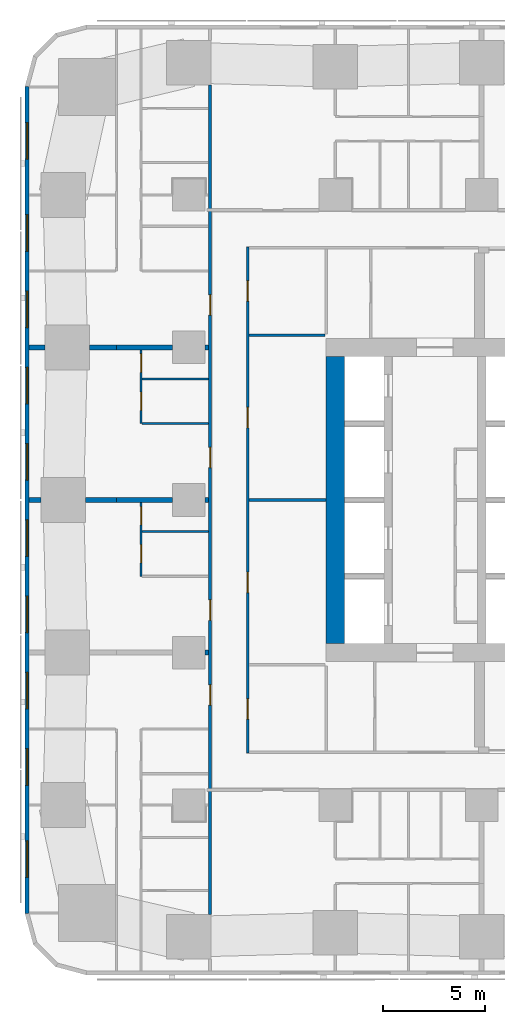
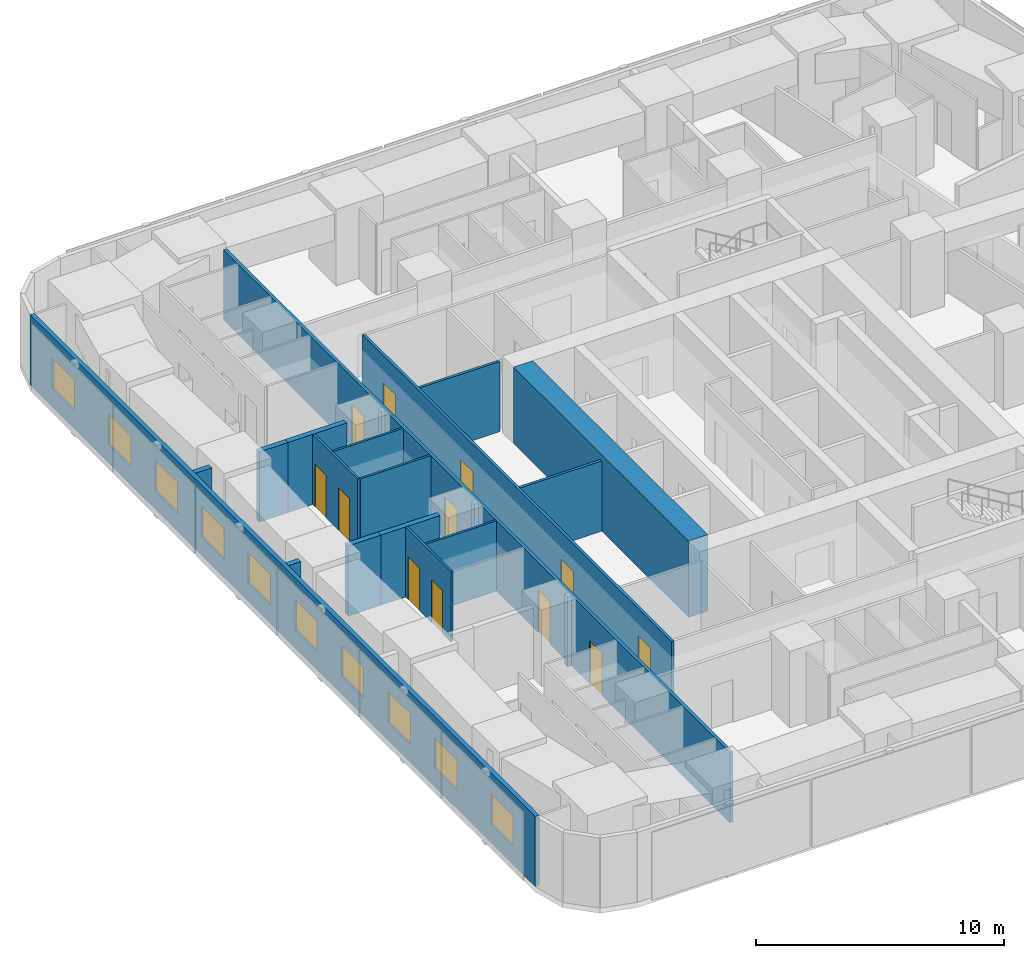
# One storey, part 4 of 14: 20 walls, 12 doors, 10 windows, 22 openings.
"""IFC4 building model written with IfcOpenShell, lengths in metres."""

from ifc_helpers import new_model, si_unit, direction, frame, frame_2d, origin, place, context, subcontext, project, spatial, rectangle, extrude, material, layer, layer_set, type_object, element, fill, save


model = new_model("IFC4")

# Units and contexts
model_context = context("Model", 3, precision=1e-05, world=origin(), true_north=direction((0.0, 1.0)))
body_context = subcontext(model_context, "Body", "Model", "MODEL_VIEW")
ifc_project = project(units=[si_unit("LENGTHUNIT", "METRE"), si_unit("AREAUNIT", "SQUARE_METRE"), si_unit("VOLUMEUNIT", "CUBIC_METRE"), si_unit("PLANEANGLEUNIT", "RADIAN"), si_unit("MASSUNIT", "GRAM", prefix="KILO")], contexts=[model_context])

# Site, building, storey
site_placement = place(None, origin())
site = spatial("IfcSite", under=ifc_project, at=site_placement, CompositionType="ELEMENT")
building_placement = place(site_placement, origin())
building = spatial("IfcBuilding", under=site, at=building_placement, Name="Sheger Commons Tower", CompositionType="ELEMENT")
storey_placement = place(building_placement, frame((0.0, 0.0, 126.64990234375)))
storey = spatial("IfcBuildingStorey", under=building, at=storey_placement, Name="L32", CompositionType="ELEMENT", Elevation=126.64990234375)

# Wall
ifc_material_1 = material(Name="Concrete C50/60", Category="concrete")
ifc_layer_1 = layer(ifc_material_1, 0.89990234375)
ifc_layer_set_1 = layer_set([ifc_layer_1], Name="CORE WALL 900")
wall_type_1 = type_object("IfcWallType", Name="CORE WALL 900", PredefinedType="SHEAR", material=ifc_layer_set_1)
wall_1_placement = place(storey_placement, frame((14.39990234375, 15.449951171875, 0.0), z_axis=(0.0, 0.0, 1.0), x_axis=(0.0, 1.0, 0.0)))
element("IfcWall", 1, at=wall_1_placement, inside=storey, type_object=wall_type_1, Name="Core wall west L32", PredefinedType="SHEAR", context=body_context, shape_type="SweptSolid", body=[
    extrude(rectangle(XDim=14.10009765625, YDim=0.89990234375, at=frame_2d((7.050048828125, 0.0))), origin(), (0.0, 0.0, 1.0), 3.75),
])

# Wall, openings, doors
ifc_material_2 = material(Name="Hollow concrete block masonry, skimmed both sides", Category="masonry")
ifc_layer_2 = layer(ifc_material_2, 0.14990234375)
ifc_layer_set_2 = layer_set([ifc_layer_2], Name="CORRIDOR WALL 150")
wall_type_2 = type_object("IfcWallType", Name="CORRIDOR WALL 150", PredefinedType="SOLIDWALL", material=ifc_layer_set_2)
wall_2_placement = place(storey_placement, frame((8.25, 2.1259765625, 0.0), z_axis=(0.0, 0.0, 1.0), x_axis=(0.0, 1.0, 0.0)))
wall_2 = element("IfcWall", 2, at=wall_2_placement, inside=storey, type_object=wall_type_2, Name="Corridor wall L32", PredefinedType="SOLIDWALL", context=body_context, shape_type="SweptSolid", body=[
    extrude(rectangle(XDim=40.77294921875, YDim=0.14990234375, at=frame_2d((20.386474609375, 0.0))), origin(), (0.0, 0.0, 1.0), 3.4501953125),
])
opening_1_placement = place(wall_2_placement, frame((10.285888671875, 0.0, 0.0)))
opening_1 = element("IfcOpeningElement", 3, at=opening_1_placement, cuts=wall_2, Name="Opening D1", PredefinedType="OPENING", context=body_context, shape_type="SweptSolid", body=[
    extrude(rectangle(XDim=1.0, YDim=2.10009765625, at=frame_2d((0.5, 1.050048828125))), frame((0.0, 0.0849609375, 0.0), z_axis=(0.0, -1.0, 0.0), x_axis=(1.0, 0.0, 0.0)), (0.0, 0.0, 1.0), 0.169921875),
])
opening_2_placement = place(wall_2_placement, frame((14.4609375, 0.0, 0.0)))
opening_2 = element("IfcOpeningElement", 4, at=opening_2_placement, cuts=wall_2, Name="Opening D1", PredefinedType="OPENING", context=body_context, shape_type="SweptSolid", body=[
    extrude(rectangle(XDim=1.0, YDim=2.10009765625, at=frame_2d((0.5, 1.050048828125))), frame((0.0, 0.0849609375, 0.0), z_axis=(0.0, -1.0, 0.0), x_axis=(1.0, 0.0, 0.0)), (0.0, 0.0, 1.0), 0.169921875),
])
opening_3_placement = place(wall_2_placement, frame((21.9619140625, 0.0, 0.0)))
opening_3 = element("IfcOpeningElement", 5, at=opening_3_placement, cuts=wall_2, Name="Opening D1", PredefinedType="OPENING", context=body_context, shape_type="SweptSolid", body=[
    extrude(rectangle(XDim=1.0, YDim=2.10009765625, at=frame_2d((0.5, 1.050048828125))), frame((0.0, 0.0849609375, 0.0), z_axis=(0.0, -1.0, 0.0), x_axis=(1.0, 0.0, 0.0)), (0.0, 0.0, 1.0), 0.169921875),
])
opening_4_placement = place(wall_2_placement, frame((29.4609375, 0.0, 0.0)))
opening_4 = element("IfcOpeningElement", 6, at=opening_4_placement, cuts=wall_2, Name="Opening D1", PredefinedType="OPENING", context=body_context, shape_type="SweptSolid", body=[
    extrude(rectangle(XDim=1.0, YDim=2.10009765625, at=frame_2d((0.5, 1.050048828125))), frame((0.0, 0.0849609375, 0.0), z_axis=(0.0, -1.0, 0.0), x_axis=(1.0, 0.0, 0.0)), (0.0, 0.0, 1.0), 0.169921875),
])
ifc_material_3 = material(Name="Steel door set, fire rated", Category="steel")
door_type_1 = type_object("IfcDoorType", Name="FLAT ENTRANCE DOOR 1000x2100", OperationType="NOTDEFINED", PredefinedType="DOOR", material=ifc_material_3)
door_1_placement = place(opening_1_placement, origin())
door_1 = element("IfcDoor", 7, at=door_1_placement, inside=storey, type_object=door_type_1, Name="Flat entrance door", OperationType="SINGLE_SWING_LEFT", OverallHeight=2.10009765625, OverallWidth=1.0, PredefinedType="DOOR", context=body_context, shape_type="SweptSolid", body=[
    extrude(rectangle(XDim=1.0, YDim=2.10009765625, at=frame_2d((0.5, 1.050048828125))), frame((0.0, 0.02490234375, 0.0), z_axis=(0.0, -1.0, 0.0), x_axis=(1.0, 0.0, 0.0)), (0.0, 0.0, 1.0), 0.050048828125),
])
fill(opening_1, door_1)
door_2_placement = place(opening_2_placement, origin())
door_2 = element("IfcDoor", 8, at=door_2_placement, inside=storey, type_object=door_type_1, Name="Flat entrance door", OperationType="SINGLE_SWING_RIGHT", OverallHeight=2.10009765625, OverallWidth=1.0, PredefinedType="DOOR", context=body_context, shape_type="SweptSolid", body=[
    extrude(rectangle(XDim=1.0, YDim=2.10009765625, at=frame_2d((0.5, 1.050048828125))), frame((0.0, 0.02490234375, 0.0), z_axis=(0.0, -1.0, 0.0), x_axis=(1.0, 0.0, 0.0)), (0.0, 0.0, 1.0), 0.050048828125),
])
fill(opening_2, door_2)
door_3_placement = place(opening_3_placement, origin())
door_3 = element("IfcDoor", 9, at=door_3_placement, inside=storey, type_object=door_type_1, Name="Flat entrance door", OperationType="SINGLE_SWING_RIGHT", OverallHeight=2.10009765625, OverallWidth=1.0, PredefinedType="DOOR", context=body_context, shape_type="SweptSolid", body=[
    extrude(rectangle(XDim=1.0, YDim=2.10009765625, at=frame_2d((0.5, 1.050048828125))), frame((0.0, 0.02490234375, 0.0), z_axis=(0.0, -1.0, 0.0), x_axis=(1.0, 0.0, 0.0)), (0.0, 0.0, 1.0), 0.050048828125),
])
fill(opening_3, door_3)
door_4_placement = place(opening_4_placement, origin())
door_4 = element("IfcDoor", 10, at=door_4_placement, inside=storey, type_object=door_type_1, Name="Flat entrance door", OperationType="SINGLE_SWING_RIGHT", OverallHeight=2.10009765625, OverallWidth=1.0, PredefinedType="DOOR", context=body_context, shape_type="SweptSolid", body=[
    extrude(rectangle(XDim=1.0, YDim=2.10009765625, at=frame_2d((0.5, 1.050048828125))), frame((0.0, 0.02490234375, 0.0), z_axis=(0.0, -1.0, 0.0), x_axis=(1.0, 0.0, 0.0)), (0.0, 0.0, 1.0), 0.050048828125),
])
fill(opening_4, door_4)

# Walls
ifc_material_4 = material(Name="Dense concrete block masonry, plastered both sides (separating wall between flats)", Category="masonry")
ifc_layer_3 = layer(ifc_material_4, 0.25)
ifc_layer_set_3 = layer_set([ifc_layer_3], Name="DEMISING WALL 250")
wall_type_3 = type_object("IfcWallType", Name="DEMISING WALL 250", PredefinedType="SOLIDWALL", material=ifc_layer_set_3)
wall_3_placement = place(storey_placement, frame((8.0009765625, 15.0, 0.0), z_axis=(0.0, 0.0, 1.0), x_axis=(1.0, 0.0, 0.0)))
element("IfcWall", 11, at=wall_3_placement, inside=storey, type_object=wall_type_3, Name="Demising wall L32", PredefinedType="SOLIDWALL", context=body_context, shape_type="SweptSolid", body=[
    extrude(rectangle(XDim=0.174072265625, YDim=0.25, at=frame_2d((0.0869140625, 0.0))), origin(), (0.0, 0.0, 1.0), 3.4501953125),
])
wall_4_placement = place(storey_placement, frame((-0.64990234375, 22.5, 0.0), z_axis=(0.0, 0.0, 1.0), x_axis=(1.0, 0.0, 0.0)))
element("IfcWall", 12, at=wall_4_placement, inside=storey, type_object=wall_type_3, Name="Demising wall L32", PredefinedType="SOLIDWALL", context=body_context, shape_type="SweptSolid", body=[
    extrude(rectangle(XDim=0.573974609375, YDim=0.25, at=frame_2d((0.287109375, 0.0))), origin(), (0.0, 0.0, 1.0), 3.4501953125),
])
wall_5_placement = place(storey_placement, frame((2.1259765625, 22.5, 0.0), z_axis=(0.0, 0.0, 1.0), x_axis=(1.0, 0.0, 0.0)))
element("IfcWall", 13, at=wall_5_placement, inside=storey, type_object=wall_type_3, Name="Demising wall L32", PredefinedType="SOLIDWALL", context=body_context, shape_type="SweptSolid", body=[
    extrude(rectangle(XDim=1.52392578125, YDim=0.25, at=frame_2d((0.761962890625, 0.0))), origin(), (0.0, 0.0, 1.0), 3.4501953125),
])
wall_6_placement = place(storey_placement, frame((3.64990234375, 22.5, 0.0), z_axis=(0.0, 0.0, 1.0), x_axis=(1.0, 0.0, 0.0)))
element("IfcWall", 14, at=wall_6_placement, inside=storey, type_object=wall_type_3, Name="Demising wall L32", PredefinedType="SOLIDWALL", context=body_context, shape_type="SweptSolid", body=[
    extrude(rectangle(XDim=2.7490234375, YDim=0.25, at=frame_2d((1.37451171875, 0.0))), origin(), (0.0, 0.0, 1.0), 3.4501953125),
])
wall_7_placement = place(storey_placement, frame((8.0009765625, 22.5, 0.0), z_axis=(0.0, 0.0, 1.0), x_axis=(1.0, 0.0, 0.0)))
element("IfcWall", 15, at=wall_7_placement, inside=storey, type_object=wall_type_3, Name="Demising wall L32", PredefinedType="SOLIDWALL", context=body_context, shape_type="SweptSolid", body=[
    extrude(rectangle(XDim=0.174072265625, YDim=0.25, at=frame_2d((0.0869140625, 0.0))), origin(), (0.0, 0.0, 1.0), 3.4501953125),
])
wall_8_placement = place(storey_placement, frame((-0.64990234375, 30.0, 0.0), z_axis=(0.0, 0.0, 1.0), x_axis=(1.0, 0.0, 0.0)))
element("IfcWall", 16, at=wall_8_placement, inside=storey, type_object=wall_type_3, Name="Demising wall L32", PredefinedType="SOLIDWALL", context=body_context, shape_type="SweptSolid", body=[
    extrude(rectangle(XDim=0.77392578125, YDim=0.25, at=frame_2d((0.386962890625, 0.0))), origin(), (0.0, 0.0, 1.0), 3.4501953125),
])
wall_9_placement = place(storey_placement, frame((2.325927734375, 30.0, 0.0), z_axis=(0.0, 0.0, 1.0), x_axis=(1.0, 0.0, 0.0)))
element("IfcWall", 17, at=wall_9_placement, inside=storey, type_object=wall_type_3, Name="Demising wall L32", PredefinedType="SOLIDWALL", context=body_context, shape_type="SweptSolid", body=[
    extrude(rectangle(XDim=1.323974609375, YDim=0.25, at=frame_2d((0.662109375, 0.0))), origin(), (0.0, 0.0, 1.0), 3.4501953125),
])
wall_10_placement = place(storey_placement, frame((3.64990234375, 30.0, 0.0), z_axis=(0.0, 0.0, 1.0), x_axis=(1.0, 0.0, 0.0)))
element("IfcWall", 18, at=wall_10_placement, inside=storey, type_object=wall_type_3, Name="Demising wall L32", PredefinedType="SOLIDWALL", context=body_context, shape_type="SweptSolid", body=[
    extrude(rectangle(XDim=2.7490234375, YDim=0.25, at=frame_2d((1.37451171875, 0.0))), origin(), (0.0, 0.0, 1.0), 3.4501953125),
])
wall_11_placement = place(storey_placement, frame((8.0009765625, 30.0, 0.0), z_axis=(0.0, 0.0, 1.0), x_axis=(1.0, 0.0, 0.0)))
element("IfcWall", 19, at=wall_11_placement, inside=storey, type_object=wall_type_3, Name="Demising wall L32", PredefinedType="SOLIDWALL", context=body_context, shape_type="SweptSolid", body=[
    extrude(rectangle(XDim=0.174072265625, YDim=0.25, at=frame_2d((0.0869140625, 0.0))), origin(), (0.0, 0.0, 1.0), 3.4501953125),
])

# Wall, openings, windows
ifc_material_5 = material(Name="Rendered concrete block masonry, dark grey", Category="masonry")
ifc_layer_4 = layer(ifc_material_5, 0.199951171875)
ifc_layer_set_4 = layer_set([ifc_layer_4], Name="FACADE WALL 200")
wall_type_4 = type_object("IfcWallType", Name="FACADE WALL 200", PredefinedType="SOLIDWALL", material=ifc_layer_set_4)
wall_12_placement = place(storey_placement, frame((-0.75, 42.8369140625, 0.0), z_axis=(0.0, 0.0, 1.0), x_axis=(0.0, -1.0, 0.0)))
wall_12 = element("IfcWall", 20, at=wall_12_placement, inside=storey, type_object=wall_type_4, Name="Facade wall L32", PredefinedType="SOLIDWALL", context=body_context, shape_type="SweptSolid", body=[
    extrude(rectangle(XDim=40.673828125, YDim=0.199951171875, at=frame_2d((20.3369140625, 0.0))), origin(), (0.0, 0.0, 1.0), 3.4501953125),
])
opening_5_placement = place(wall_12_placement, frame((1.780029296875, 0.0, 0.89990234375)))
opening_5 = element("IfcOpeningElement", 21, at=opening_5_placement, cuts=wall_12, Name="Opening W2", PredefinedType="OPENING", context=body_context, shape_type="SweptSolid", body=[
    extrude(rectangle(XDim=1.800048828125, YDim=1.5, at=frame_2d((0.89990234375, 0.75))), frame((0.0, 0.10986328125, 0.0), z_axis=(0.0, -1.0, 0.0), x_axis=(1.0, 0.0, 0.0)), (0.0, 0.0, 1.0), 0.219970703125),
])
opening_6_placement = place(wall_12_placement, frame((6.31201171875, 0.0, 0.89990234375)))
opening_6 = element("IfcOpeningElement", 22, at=opening_6_placement, cuts=wall_12, Name="Opening W2", PredefinedType="OPENING", context=body_context, shape_type="SweptSolid", body=[
    extrude(rectangle(XDim=1.800048828125, YDim=1.5, at=frame_2d((0.89990234375, 0.75))), frame((0.0, 0.10986328125, 0.0), z_axis=(0.0, -1.0, 0.0), x_axis=(1.0, 0.0, 0.0)), (0.0, 0.0, 1.0), 0.219970703125),
])
opening_7_placement = place(wall_12_placement, frame((10.06201171875, 0.0, 0.89990234375)))
opening_7 = element("IfcOpeningElement", 23, at=opening_7_placement, cuts=wall_12, Name="Opening W2", PredefinedType="OPENING", context=body_context, shape_type="SweptSolid", body=[
    extrude(rectangle(XDim=1.800048828125, YDim=1.5, at=frame_2d((0.89990234375, 0.75))), frame((0.0, 0.10986328125, 0.0), z_axis=(0.0, -1.0, 0.0), x_axis=(1.0, 0.0, 0.0)), (0.0, 0.0, 1.0), 0.219970703125),
])
opening_8_placement = place(wall_12_placement, frame((13.81201171875, 0.0, 0.89990234375)))
opening_8 = element("IfcOpeningElement", 24, at=opening_8_placement, cuts=wall_12, Name="Opening W2", PredefinedType="OPENING", context=body_context, shape_type="SweptSolid", body=[
    extrude(rectangle(XDim=1.800048828125, YDim=1.5, at=frame_2d((0.89990234375, 0.75))), frame((0.0, 0.10986328125, 0.0), z_axis=(0.0, -1.0, 0.0), x_axis=(1.0, 0.0, 0.0)), (0.0, 0.0, 1.0), 0.219970703125),
])
opening_9_placement = place(wall_12_placement, frame((17.56201171875, 0.0, 0.89990234375)))
opening_9 = element("IfcOpeningElement", 25, at=opening_9_placement, cuts=wall_12, Name="Opening W2", PredefinedType="OPENING", context=body_context, shape_type="SweptSolid", body=[
    extrude(rectangle(XDim=1.800048828125, YDim=1.5, at=frame_2d((0.89990234375, 0.75))), frame((0.0, 0.10986328125, 0.0), z_axis=(0.0, -1.0, 0.0), x_axis=(1.0, 0.0, 0.0)), (0.0, 0.0, 1.0), 0.219970703125),
])
opening_10_placement = place(wall_12_placement, frame((21.31201171875, 0.0, 0.89990234375)))
opening_10 = element("IfcOpeningElement", 26, at=opening_10_placement, cuts=wall_12, Name="Opening W2", PredefinedType="OPENING", context=body_context, shape_type="SweptSolid", body=[
    extrude(rectangle(XDim=1.800048828125, YDim=1.5, at=frame_2d((0.89990234375, 0.75))), frame((0.0, 0.10986328125, 0.0), z_axis=(0.0, -1.0, 0.0), x_axis=(1.0, 0.0, 0.0)), (0.0, 0.0, 1.0), 0.219970703125),
])
opening_11_placement = place(wall_12_placement, frame((25.06201171875, 0.0, 0.89990234375)))
opening_11 = element("IfcOpeningElement", 27, at=opening_11_placement, cuts=wall_12, Name="Opening W2", PredefinedType="OPENING", context=body_context, shape_type="SweptSolid", body=[
    extrude(rectangle(XDim=1.800048828125, YDim=1.5, at=frame_2d((0.89990234375, 0.75))), frame((0.0, 0.10986328125, 0.0), z_axis=(0.0, -1.0, 0.0), x_axis=(1.0, 0.0, 0.0)), (0.0, 0.0, 1.0), 0.219970703125),
])
opening_12_placement = place(wall_12_placement, frame((28.81201171875, 0.0, 0.89990234375)))
opening_12 = element("IfcOpeningElement", 28, at=opening_12_placement, cuts=wall_12, Name="Opening W2", PredefinedType="OPENING", context=body_context, shape_type="SweptSolid", body=[
    extrude(rectangle(XDim=1.800048828125, YDim=1.5, at=frame_2d((0.89990234375, 0.75))), frame((0.0, 0.10986328125, 0.0), z_axis=(0.0, -1.0, 0.0), x_axis=(1.0, 0.0, 0.0)), (0.0, 0.0, 1.0), 0.219970703125),
])
opening_13_placement = place(wall_12_placement, frame((32.56201171875, 0.0, 0.89990234375)))
opening_13 = element("IfcOpeningElement", 29, at=opening_13_placement, cuts=wall_12, Name="Opening W2", PredefinedType="OPENING", context=body_context, shape_type="SweptSolid", body=[
    extrude(rectangle(XDim=1.800048828125, YDim=1.5, at=frame_2d((0.89990234375, 0.75))), frame((0.0, 0.10986328125, 0.0), z_axis=(0.0, -1.0, 0.0), x_axis=(1.0, 0.0, 0.0)), (0.0, 0.0, 1.0), 0.219970703125),
])
opening_14_placement = place(wall_12_placement, frame((37.093994140625, 0.0, 0.89990234375)))
opening_14 = element("IfcOpeningElement", 30, at=opening_14_placement, cuts=wall_12, Name="Opening W2", PredefinedType="OPENING", context=body_context, shape_type="SweptSolid", body=[
    extrude(rectangle(XDim=1.800048828125, YDim=1.5, at=frame_2d((0.89990234375, 0.75))), frame((0.0, 0.10986328125, 0.0), z_axis=(0.0, -1.0, 0.0), x_axis=(1.0, 0.0, 0.0)), (0.0, 0.0, 1.0), 0.219970703125),
])
ifc_material_6 = material(Name="Black aluminium frame, dark tinted double glazing", Category="aluminium")
window_type = type_object("IfcWindowType", Name="WINDOW W2 1800x1500", PartitioningType="SINGLE_PANEL", PredefinedType="WINDOW", material=ifc_material_6)
window_1_placement = place(opening_5_placement, origin())
window_1 = element("IfcWindow", 31, at=window_1_placement, inside=storey, type_object=window_type, Name="Window W2 1800X1500", OverallHeight=1.5, OverallWidth=1.800048828125, PartitioningType="SINGLE_PANEL", PredefinedType="WINDOW", context=body_context, shape_type="SweptSolid", body=[
    extrude(rectangle(XDim=1.800048828125, YDim=1.5, at=frame_2d((0.89990234375, 0.75))), frame((0.0, 0.030029296875, 0.0), z_axis=(0.0, -1.0, 0.0), x_axis=(1.0, 0.0, 0.0)), (0.0, 0.0, 1.0), 0.06005859375),
])
fill(opening_5, window_1)
window_2_placement = place(opening_6_placement, origin())
window_2 = element("IfcWindow", 32, at=window_2_placement, inside=storey, type_object=window_type, Name="Window W2 1800X1500", OverallHeight=1.5, OverallWidth=1.800048828125, PartitioningType="SINGLE_PANEL", PredefinedType="WINDOW", context=body_context, shape_type="SweptSolid", body=[
    extrude(rectangle(XDim=1.800048828125, YDim=1.5, at=frame_2d((0.89990234375, 0.75))), frame((0.0, 0.030029296875, 0.0), z_axis=(0.0, -1.0, 0.0), x_axis=(1.0, 0.0, 0.0)), (0.0, 0.0, 1.0), 0.06005859375),
])
fill(opening_6, window_2)
window_3_placement = place(opening_7_placement, origin())
window_3 = element("IfcWindow", 33, at=window_3_placement, inside=storey, type_object=window_type, Name="Window W2 1800X1500", OverallHeight=1.5, OverallWidth=1.800048828125, PartitioningType="SINGLE_PANEL", PredefinedType="WINDOW", context=body_context, shape_type="SweptSolid", body=[
    extrude(rectangle(XDim=1.800048828125, YDim=1.5, at=frame_2d((0.89990234375, 0.75))), frame((0.0, 0.030029296875, 0.0), z_axis=(0.0, -1.0, 0.0), x_axis=(1.0, 0.0, 0.0)), (0.0, 0.0, 1.0), 0.06005859375),
])
fill(opening_7, window_3)
window_4_placement = place(opening_8_placement, origin())
window_4 = element("IfcWindow", 34, at=window_4_placement, inside=storey, type_object=window_type, Name="Window W2 1800X1500", OverallHeight=1.5, OverallWidth=1.800048828125, PartitioningType="SINGLE_PANEL", PredefinedType="WINDOW", context=body_context, shape_type="SweptSolid", body=[
    extrude(rectangle(XDim=1.800048828125, YDim=1.5, at=frame_2d((0.89990234375, 0.75))), frame((0.0, 0.030029296875, 0.0), z_axis=(0.0, -1.0, 0.0), x_axis=(1.0, 0.0, 0.0)), (0.0, 0.0, 1.0), 0.06005859375),
])
fill(opening_8, window_4)
window_5_placement = place(opening_9_placement, origin())
window_5 = element("IfcWindow", 35, at=window_5_placement, inside=storey, type_object=window_type, Name="Window W2 1800X1500", OverallHeight=1.5, OverallWidth=1.800048828125, PartitioningType="SINGLE_PANEL", PredefinedType="WINDOW", context=body_context, shape_type="SweptSolid", body=[
    extrude(rectangle(XDim=1.800048828125, YDim=1.5, at=frame_2d((0.89990234375, 0.75))), frame((0.0, 0.030029296875, 0.0), z_axis=(0.0, -1.0, 0.0), x_axis=(1.0, 0.0, 0.0)), (0.0, 0.0, 1.0), 0.06005859375),
])
fill(opening_9, window_5)
window_6_placement = place(opening_10_placement, origin())
window_6 = element("IfcWindow", 36, at=window_6_placement, inside=storey, type_object=window_type, Name="Window W2 1800X1500", OverallHeight=1.5, OverallWidth=1.800048828125, PartitioningType="SINGLE_PANEL", PredefinedType="WINDOW", context=body_context, shape_type="SweptSolid", body=[
    extrude(rectangle(XDim=1.800048828125, YDim=1.5, at=frame_2d((0.89990234375, 0.75))), frame((0.0, 0.030029296875, 0.0), z_axis=(0.0, -1.0, 0.0), x_axis=(1.0, 0.0, 0.0)), (0.0, 0.0, 1.0), 0.06005859375),
])
fill(opening_10, window_6)
window_7_placement = place(opening_11_placement, origin())
window_7 = element("IfcWindow", 37, at=window_7_placement, inside=storey, type_object=window_type, Name="Window W2 1800X1500", OverallHeight=1.5, OverallWidth=1.800048828125, PartitioningType="SINGLE_PANEL", PredefinedType="WINDOW", context=body_context, shape_type="SweptSolid", body=[
    extrude(rectangle(XDim=1.800048828125, YDim=1.5, at=frame_2d((0.89990234375, 0.75))), frame((0.0, 0.030029296875, 0.0), z_axis=(0.0, -1.0, 0.0), x_axis=(1.0, 0.0, 0.0)), (0.0, 0.0, 1.0), 0.06005859375),
])
fill(opening_11, window_7)
window_8_placement = place(opening_12_placement, origin())
window_8 = element("IfcWindow", 38, at=window_8_placement, inside=storey, type_object=window_type, Name="Window W2 1800X1500", OverallHeight=1.5, OverallWidth=1.800048828125, PartitioningType="SINGLE_PANEL", PredefinedType="WINDOW", context=body_context, shape_type="SweptSolid", body=[
    extrude(rectangle(XDim=1.800048828125, YDim=1.5, at=frame_2d((0.89990234375, 0.75))), frame((0.0, 0.030029296875, 0.0), z_axis=(0.0, -1.0, 0.0), x_axis=(1.0, 0.0, 0.0)), (0.0, 0.0, 1.0), 0.06005859375),
])
fill(opening_12, window_8)
window_9_placement = place(opening_13_placement, origin())
window_9 = element("IfcWindow", 39, at=window_9_placement, inside=storey, type_object=window_type, Name="Window W2 1800X1500", OverallHeight=1.5, OverallWidth=1.800048828125, PartitioningType="SINGLE_PANEL", PredefinedType="WINDOW", context=body_context, shape_type="SweptSolid", body=[
    extrude(rectangle(XDim=1.800048828125, YDim=1.5, at=frame_2d((0.89990234375, 0.75))), frame((0.0, 0.030029296875, 0.0), z_axis=(0.0, -1.0, 0.0), x_axis=(1.0, 0.0, 0.0)), (0.0, 0.0, 1.0), 0.06005859375),
])
fill(opening_13, window_9)
window_10_placement = place(opening_14_placement, origin())
window_10 = element("IfcWindow", 40, at=window_10_placement, inside=storey, type_object=window_type, Name="Window W2 1800X1500", OverallHeight=1.5, OverallWidth=1.800048828125, PartitioningType="SINGLE_PANEL", PredefinedType="WINDOW", context=body_context, shape_type="SweptSolid", body=[
    extrude(rectangle(XDim=1.800048828125, YDim=1.5, at=frame_2d((0.89990234375, 0.75))), frame((0.0, 0.030029296875, 0.0), z_axis=(0.0, -1.0, 0.0), x_axis=(1.0, 0.0, 0.0)), (0.0, 0.0, 1.0), 0.06005859375),
])
fill(opening_14, window_10)

# Wall, openings, doors
ifc_material_7 = material(Name="Gypsum board on steel studs", Category="steel")
ifc_layer_5 = layer(ifc_material_7, 0.10009765625)
ifc_layer_set_5 = layer_set([ifc_layer_5], Name="PARTITION 100")
wall_type_5 = type_object("IfcWallType", Name="PARTITION 100", PredefinedType="PARTITIONING", material=ifc_layer_set_5)
wall_13_placement = place(storey_placement, frame((4.85009765625, 18.75, 0.0), z_axis=(0.0, 0.0, 1.0), x_axis=(0.0, 1.0, 0.0)))
wall_13 = element("IfcWall", 41, at=wall_13_placement, inside=storey, type_object=wall_type_5, Name="Partition L32", PredefinedType="PARTITIONING", context=body_context, shape_type="SweptSolid", body=[
    extrude(rectangle(XDim=3.625, YDim=0.10009765625, at=frame_2d((1.8125, 0.0))), origin(), (0.0, 0.0, 1.0), 3.4501953125),
])
opening_15_placement = place(wall_13_placement, frame((0.655029296875, 0.0, 0.0)))
opening_15 = element("IfcOpeningElement", 42, at=opening_15_placement, cuts=wall_13, Name="Opening D2", PredefinedType="OPENING", context=body_context, shape_type="SweptSolid", body=[
    extrude(rectangle(XDim=0.89990234375, YDim=2.10009765625, at=frame_2d((0.449951171875, 1.050048828125))), frame((0.0, 0.06005859375, 0.0), z_axis=(0.0, -1.0, 0.0), x_axis=(1.0, 0.0, 0.0)), (0.0, 0.0, 1.0), 0.1201171875),
])
opening_16_placement = place(wall_13_placement, frame((2.530029296875, 0.0, 0.0)))
opening_16 = element("IfcOpeningElement", 43, at=opening_16_placement, cuts=wall_13, Name="Opening D2", PredefinedType="OPENING", context=body_context, shape_type="SweptSolid", body=[
    extrude(rectangle(XDim=0.89990234375, YDim=2.10009765625, at=frame_2d((0.449951171875, 1.050048828125))), frame((0.0, 0.06005859375, 0.0), z_axis=(0.0, -1.0, 0.0), x_axis=(1.0, 0.0, 0.0)), (0.0, 0.0, 1.0), 0.1201171875),
])
ifc_material_8 = material(Name="Timber door set", Category="wood")
door_type_2 = type_object("IfcDoorType", Name="INTERNAL DOOR 900x2100", OperationType="NOTDEFINED", PredefinedType="DOOR", material=ifc_material_8)
door_5_placement = place(opening_15_placement, origin())
door_5 = element("IfcDoor", 44, at=door_5_placement, inside=storey, type_object=door_type_2, Name="Bathroom door", OperationType="SINGLE_SWING_RIGHT", OverallHeight=2.10009765625, OverallWidth=0.89990234375, PredefinedType="DOOR", context=body_context, shape_type="SweptSolid", body=[
    extrude(rectangle(XDim=0.89990234375, YDim=2.10009765625, at=frame_2d((0.449951171875, 1.050048828125))), frame((0.0, 0.02490234375, 0.0), z_axis=(0.0, -1.0, 0.0), x_axis=(1.0, 0.0, 0.0)), (0.0, 0.0, 1.0), 0.050048828125),
])
fill(opening_15, door_5)
door_6_placement = place(opening_16_placement, origin())
door_6 = element("IfcDoor", 45, at=door_6_placement, inside=storey, type_object=door_type_2, Name="Store door", OperationType="SINGLE_SWING_LEFT", OverallHeight=2.10009765625, OverallWidth=0.89990234375, PredefinedType="DOOR", context=body_context, shape_type="SweptSolid", body=[
    extrude(rectangle(XDim=0.89990234375, YDim=2.10009765625, at=frame_2d((0.449951171875, 1.050048828125))), frame((0.0, 0.02490234375, 0.0), z_axis=(0.0, -1.0, 0.0), x_axis=(1.0, 0.0, 0.0)), (0.0, 0.0, 1.0), 0.050048828125),
])
fill(opening_16, door_6)

# Wall
wall_14_placement = place(storey_placement, frame((4.89990234375, 20.9599609375, 0.0), z_axis=(0.0, 0.0, 1.0), x_axis=(1.0, 0.0, 0.0)))
element("IfcWall", 46, at=wall_14_placement, inside=storey, type_object=wall_type_5, Name="Partition L32", PredefinedType="PARTITIONING", context=body_context, shape_type="SweptSolid", body=[
    extrude(rectangle(XDim=3.275146484375, YDim=0.10009765625, at=frame_2d((1.6376953125, 0.0))), origin(), (0.0, 0.0, 1.0), 3.4501953125),
])

# Wall, openings, doors
wall_15_placement = place(storey_placement, frame((4.85009765625, 26.25, 0.0), z_axis=(0.0, 0.0, 1.0), x_axis=(0.0, 1.0, 0.0)))
wall_15 = element("IfcWall", 47, at=wall_15_placement, inside=storey, type_object=wall_type_5, Name="Partition L32", PredefinedType="PARTITIONING", context=body_context, shape_type="SweptSolid", body=[
    extrude(rectangle(XDim=3.625, YDim=0.10009765625, at=frame_2d((1.8125, 0.0))), origin(), (0.0, 0.0, 1.0), 3.4501953125),
])
opening_17_placement = place(wall_15_placement, frame((0.655029296875, 0.0, 0.0)))
opening_17 = element("IfcOpeningElement", 48, at=opening_17_placement, cuts=wall_15, Name="Opening D2", PredefinedType="OPENING", context=body_context, shape_type="SweptSolid", body=[
    extrude(rectangle(XDim=0.89990234375, YDim=2.10009765625, at=frame_2d((0.449951171875, 1.050048828125))), frame((0.0, 0.06005859375, 0.0), z_axis=(0.0, -1.0, 0.0), x_axis=(1.0, 0.0, 0.0)), (0.0, 0.0, 1.0), 0.1201171875),
])
opening_18_placement = place(wall_15_placement, frame((2.530029296875, 0.0, 0.0)))
opening_18 = element("IfcOpeningElement", 49, at=opening_18_placement, cuts=wall_15, Name="Opening D2", PredefinedType="OPENING", context=body_context, shape_type="SweptSolid", body=[
    extrude(rectangle(XDim=0.89990234375, YDim=2.10009765625, at=frame_2d((0.449951171875, 1.050048828125))), frame((0.0, 0.06005859375, 0.0), z_axis=(0.0, -1.0, 0.0), x_axis=(1.0, 0.0, 0.0)), (0.0, 0.0, 1.0), 0.1201171875),
])
door_7_placement = place(opening_17_placement, origin())
door_7 = element("IfcDoor", 50, at=door_7_placement, inside=storey, type_object=door_type_2, Name="Bathroom door", OperationType="SINGLE_SWING_RIGHT", OverallHeight=2.10009765625, OverallWidth=0.89990234375, PredefinedType="DOOR", context=body_context, shape_type="SweptSolid", body=[
    extrude(rectangle(XDim=0.89990234375, YDim=2.10009765625, at=frame_2d((0.449951171875, 1.050048828125))), frame((0.0, 0.02490234375, 0.0), z_axis=(0.0, -1.0, 0.0), x_axis=(1.0, 0.0, 0.0)), (0.0, 0.0, 1.0), 0.050048828125),
])
fill(opening_17, door_7)
door_8_placement = place(opening_18_placement, origin())
door_8 = element("IfcDoor", 51, at=door_8_placement, inside=storey, type_object=door_type_2, Name="Store door", OperationType="SINGLE_SWING_LEFT", OverallHeight=2.10009765625, OverallWidth=0.89990234375, PredefinedType="DOOR", context=body_context, shape_type="SweptSolid", body=[
    extrude(rectangle(XDim=0.89990234375, YDim=2.10009765625, at=frame_2d((0.449951171875, 1.050048828125))), frame((0.0, 0.02490234375, 0.0), z_axis=(0.0, -1.0, 0.0), x_axis=(1.0, 0.0, 0.0)), (0.0, 0.0, 1.0), 0.050048828125),
])
fill(opening_18, door_8)

# Walls
for number, where, z_axis, x_axis, name in (
    (52, (4.89990234375, 26.25, 0.0), (0.0, 0.0, 1.0), (1.0, 0.0, 0.0), "Partition L32"),
    (53, (4.89990234375, 28.4599609375, 0.0), (0.0, 0.0, 1.0), (1.0, 0.0, 0.0), "Partition L32"),
):
    element("IfcWall", number, at=place(storey_placement, frame(where, z_axis=z_axis, x_axis=x_axis)), inside=storey, type_object=wall_type_5, Name=name, PredefinedType="PARTITIONING", context=body_context, shape_type="SweptSolid", body=[
        extrude(rectangle(XDim=3.275146484375, YDim=0.10009765625, at=frame_2d((1.6376953125, 0.0))), origin(), (0.0, 0.0, 1.0), 3.4501953125),
    ])

# Wall, openings, doors
ifc_material_9 = material(Name="Gypsum board on steel studs, two layers each side, fire rated", Category="steel")
ifc_layer_6 = layer(ifc_material_9, 0.125)
ifc_layer_set_6 = layer_set([ifc_layer_6], Name="SERVICE WALL 125")
wall_type_6 = type_object("IfcWallType", Name="SERVICE WALL 125", PredefinedType="PARTITIONING", material=ifc_layer_set_6)
wall_16_placement = place(storey_placement, frame((10.10009765625, 10.050048828125, 0.0), z_axis=(0.0, 0.0, 1.0), x_axis=(0.0, 1.0, 0.0)))
wall_16 = element("IfcWall", 54, at=wall_16_placement, inside=storey, type_object=wall_type_6, Name="Service room wall L32", PredefinedType="PARTITIONING", context=body_context, shape_type="SweptSolid", body=[
    extrude(rectangle(XDim=24.89990234375, YDim=0.125, at=frame_2d((12.449951171875, 0.0))), origin(), (0.0, 0.0, 1.0), 3.4501953125),
])
opening_19_placement = place(wall_16_placement, frame((1.675048828125, 0.0, 0.0)))
opening_19 = element("IfcOpeningElement", 55, at=opening_19_placement, cuts=wall_16, Name="Opening D4", PredefinedType="OPENING", context=body_context, shape_type="SweptSolid", body=[
    extrude(rectangle(XDim=1.0, YDim=2.10009765625, at=frame_2d((0.5, 1.050048828125))), frame((0.0, 0.072509765625, 0.0), z_axis=(0.0, -1.0, 0.0), x_axis=(1.0, 0.0, 0.0)), (0.0, 0.0, 1.0), 0.14501953125),
])
opening_20_placement = place(wall_16_placement, frame((7.89990234375, 0.0, 0.0)))
opening_20 = element("IfcOpeningElement", 56, at=opening_20_placement, cuts=wall_16, Name="Opening D4", PredefinedType="OPENING", context=body_context, shape_type="SweptSolid", body=[
    extrude(rectangle(XDim=1.0, YDim=2.10009765625, at=frame_2d((0.5, 1.050048828125))), frame((0.0, 0.072509765625, 0.0), z_axis=(0.0, -1.0, 0.0), x_axis=(1.0, 0.0, 0.0)), (0.0, 0.0, 1.0), 0.14501953125),
])
opening_21_placement = place(wall_16_placement, frame((16.0, 0.0, 0.0)))
opening_21 = element("IfcOpeningElement", 57, at=opening_21_placement, cuts=wall_16, Name="Opening D4", PredefinedType="OPENING", context=body_context, shape_type="SweptSolid", body=[
    extrude(rectangle(XDim=1.0, YDim=2.10009765625, at=frame_2d((0.5, 1.050048828125))), frame((0.0, 0.072509765625, 0.0), z_axis=(0.0, -1.0, 0.0), x_axis=(1.0, 0.0, 0.0)), (0.0, 0.0, 1.0), 0.14501953125),
])
opening_22_placement = place(wall_16_placement, frame((22.22509765625, 0.0, 0.0)))
opening_22 = element("IfcOpeningElement", 58, at=opening_22_placement, cuts=wall_16, Name="Opening D4", PredefinedType="OPENING", context=body_context, shape_type="SweptSolid", body=[
    extrude(rectangle(XDim=1.0, YDim=2.10009765625, at=frame_2d((0.5, 1.050048828125))), frame((0.0, 0.072509765625, 0.0), z_axis=(0.0, -1.0, 0.0), x_axis=(1.0, 0.0, 0.0)), (0.0, 0.0, 1.0), 0.14501953125),
])
ifc_material_10 = material(Name="Steel door set, fire rated", Category="steel")
door_type_3 = type_object("IfcDoorType", Name="SERVICE DOOR 1000x2100", OperationType="NOTDEFINED", PredefinedType="DOOR", material=ifc_material_10)
door_9_placement = place(opening_19_placement, origin())
door_9 = element("IfcDoor", 59, at=door_9_placement, inside=storey, type_object=door_type_3, Name="Refuse chute room door", OperationType="SINGLE_SWING_RIGHT", OverallHeight=2.10009765625, OverallWidth=1.0, PredefinedType="DOOR", context=body_context, shape_type="SweptSolid", body=[
    extrude(rectangle(XDim=1.0, YDim=2.10009765625, at=frame_2d((0.5, 1.050048828125))), frame((0.0, 0.02490234375, 0.0), z_axis=(0.0, -1.0, 0.0), x_axis=(1.0, 0.0, 0.0)), (0.0, 0.0, 1.0), 0.050048828125),
])
fill(opening_19, door_9)
door_10_placement = place(opening_20_placement, origin())
door_10 = element("IfcDoor", 60, at=door_10_placement, inside=storey, type_object=door_type_3, Name="Laundry and drying room door", OperationType="SINGLE_SWING_LEFT", OverallHeight=2.10009765625, OverallWidth=1.0, PredefinedType="DOOR", context=body_context, shape_type="SweptSolid", body=[
    extrude(rectangle(XDim=1.0, YDim=2.10009765625, at=frame_2d((0.5, 1.050048828125))), frame((0.0, 0.02490234375, 0.0), z_axis=(0.0, -1.0, 0.0), x_axis=(1.0, 0.0, 0.0)), (0.0, 0.0, 1.0), 0.050048828125),
])
fill(opening_20, door_10)
door_11_placement = place(opening_21_placement, origin())
door_11 = element("IfcDoor", 61, at=door_11_placement, inside=storey, type_object=door_type_3, Name="Residents' store door", OperationType="SINGLE_SWING_LEFT", OverallHeight=2.10009765625, OverallWidth=1.0, PredefinedType="DOOR", context=body_context, shape_type="SweptSolid", body=[
    extrude(rectangle(XDim=1.0, YDim=2.10009765625, at=frame_2d((0.5, 1.050048828125))), frame((0.0, 0.02490234375, 0.0), z_axis=(0.0, -1.0, 0.0), x_axis=(1.0, 0.0, 0.0)), (0.0, 0.0, 1.0), 0.050048828125),
])
fill(opening_21, door_11)
door_12_placement = place(opening_22_placement, origin())
door_12 = element("IfcDoor", 62, at=door_12_placement, inside=storey, type_object=door_type_3, Name="Cleaner's store door", OperationType="SINGLE_SWING_LEFT", OverallHeight=2.10009765625, OverallWidth=1.0, PredefinedType="DOOR", context=body_context, shape_type="SweptSolid", body=[
    extrude(rectangle(XDim=1.0, YDim=2.10009765625, at=frame_2d((0.5, 1.050048828125))), frame((0.0, 0.02490234375, 0.0), z_axis=(0.0, -1.0, 0.0), x_axis=(1.0, 0.0, 0.0)), (0.0, 0.0, 1.0), 0.050048828125),
])
fill(opening_22, door_12)

# Walls
wall_17_placement = place(storey_placement, frame((10.1630859375, 22.5, 0.0), z_axis=(0.0, 0.0, 1.0), x_axis=(1.0, 0.0, 0.0)))
element("IfcWall", 63, at=wall_17_placement, inside=storey, type_object=wall_type_6, Name="Service room wall L32", PredefinedType="PARTITIONING", context=body_context, shape_type="SweptSolid", body=[
    extrude(rectangle(XDim=3.786865234375, YDim=0.125, at=frame_2d((1.8935546875, 0.0))), origin(), (0.0, 0.0, 1.0), 3.4501953125),
])
wall_18_placement = place(storey_placement, frame((10.1630859375, 30.60009765625, 0.0), z_axis=(0.0, 0.0, 1.0), x_axis=(1.0, 0.0, 0.0)))
element("IfcWall", 64, at=wall_18_placement, inside=storey, type_object=wall_type_6, Name="Service room wall L32", PredefinedType="PARTITIONING", context=body_context, shape_type="SweptSolid", body=[
    extrude(rectangle(XDim=3.724853515625, YDim=0.125, at=frame_2d((1.8623046875, 0.0))), origin(), (0.0, 0.0, 1.0), 3.4501953125),
])

save(model, "model.ifc")
